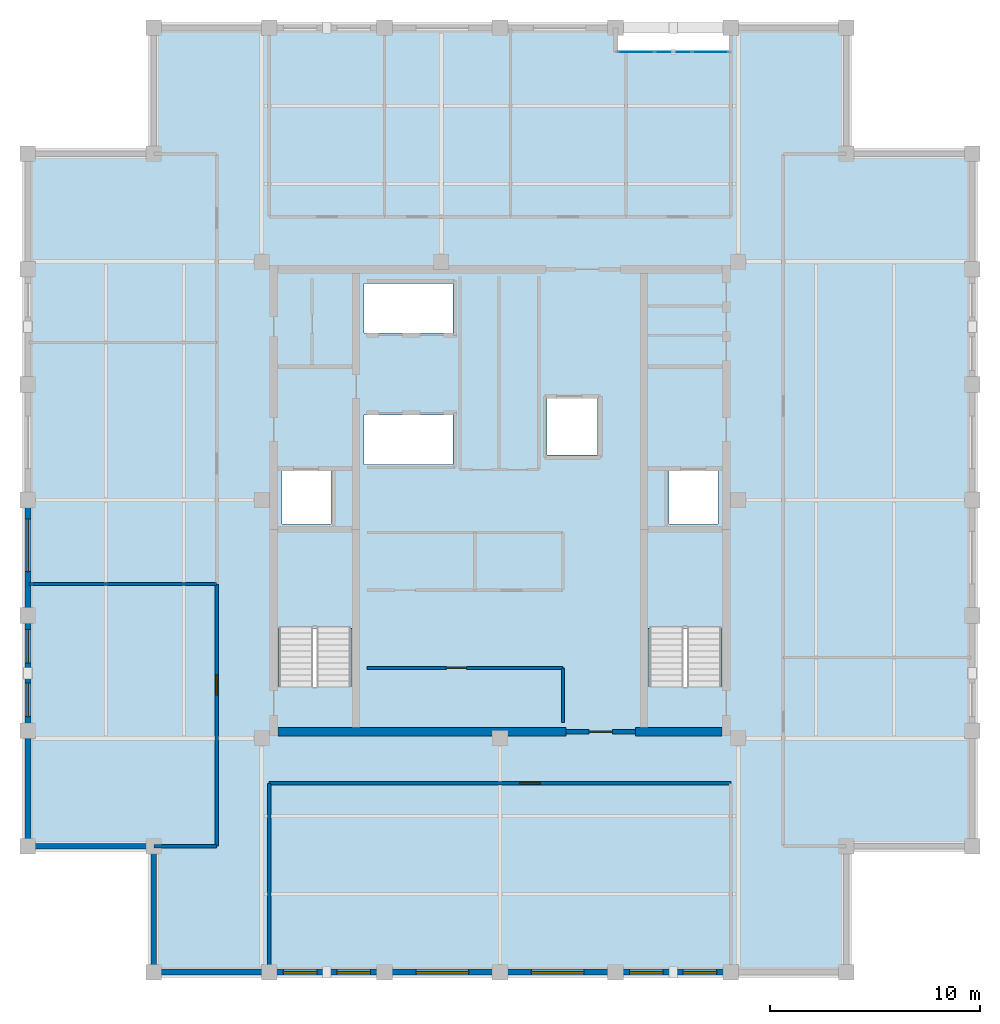
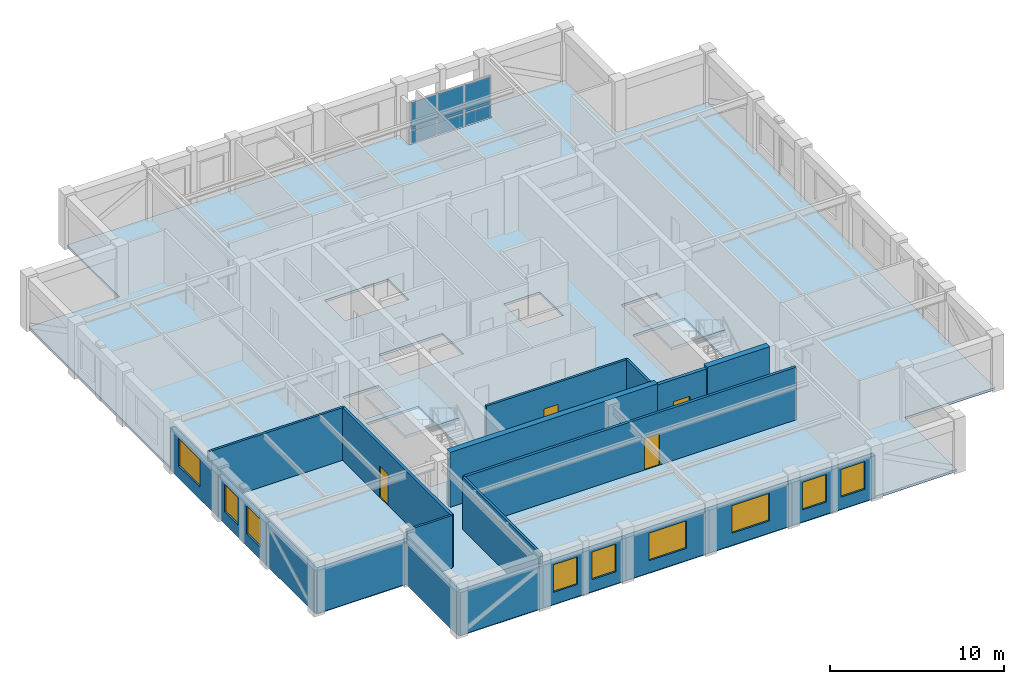
# One storey, part 3 of 7: 20 walls, 9 windows, 6 plates, 4 doors, 3 slabs, 13 openings, 3 elements without a shape of their own.
"""IFC4 building model written with IfcOpenShell, lengths in metres."""

import ifcopenshell
import ifcopenshell.guid

model = None  # the IFC model being written
_history = None  # IfcOwnerHistory: only IFC2X3 demands one
_inside = {}  # id of a spatial element -> (the spatial element, [elements in it])
_under = {}  # id of a project, library or spatial element -> (it, [spatial elements below it])
_declared = {}  # id of a project -> (the project, [libraries it declares])
_typed = {}  # id of a type object -> (the type object, [elements of that type])
_made_of = {}  # id of a material, layer set ... -> (it, [elements and type objects made of it])


def new_model(schema):
    """Start an empty IFC model of exactly this schema.

    Asked for "IFC4X3", IfcOpenShell would pick the latest addendum, in which some entities
    have other attributes; the version numbers below select the first issue.
    IFC2X3 requires an IfcOwnerHistory on every rooted entity: one is made here for all.
    """
    global model, _history
    if schema == "IFC4X3":
        model = ifcopenshell.file(schema_version=(4, 3, 0, 0))
    else:
        model = ifcopenshell.file(schema=schema)
    _inside.clear()
    _under.clear()
    _declared.clear()
    _typed.clear()
    _made_of.clear()
    _history = None
    if model.schema == "IFC2X3":
        org = make("IfcOrganization", Name="unknown")
        user = make(
            "IfcPersonAndOrganization",
            ThePerson=make("IfcPerson", FamilyName="unknown"),
            TheOrganization=org,
        )
        app = make(
            "IfcApplication",
            ApplicationDeveloper=org,
            Version="unknown",
            ApplicationFullName="unknown",
            ApplicationIdentifier="unknown",
        )
        _history = make(
            "IfcOwnerHistory",
            OwningUser=user,
            OwningApplication=app,
            ChangeAction="ADDED",
            CreationDate=0,
        )
    return model


def make(cls, **values):
    """One entity of the class cls with the attributes given. An attribute that is None is left unset."""
    return model.create_entity(
        cls, **{name: value for name, value in values.items() if value is not None}
    )


def rooted(cls, **values):
    """An entity with a GlobalId (a new one), such as an element, a storey or a relation."""
    return make(cls, GlobalId=ifcopenshell.guid.new(), OwnerHistory=_history, **values)


def si_unit(unit_type, name, prefix=None):
    """IfcSIUnit, for example si_unit("LENGTHUNIT", "METRE", prefix="MILLI")."""
    return make("IfcSIUnit", UnitType=unit_type, Prefix=prefix, Name=name)


def assignment(units):
    """IfcUnitAssignment: the units of a project."""
    return None if units is None else make("IfcUnitAssignment", Units=units)


def point(xyz):
    """IfcCartesianPoint."""
    return None if xyz is None else make("IfcCartesianPoint", Coordinates=xyz)


def direction(xyz):
    """IfcDirection."""
    return None if xyz is None else make("IfcDirection", DirectionRatios=xyz)


def frame(location, z_axis=None, x_axis=None):
    """IfcAxis2Placement3D, a coordinate frame: its origin and axes. An axis left out is left unset."""
    return make(
        "IfcAxis2Placement3D",
        Location=point(location),
        Axis=direction(z_axis),
        RefDirection=direction(x_axis),
    )


def frame_2d(location, x_axis=None):
    """IfcAxis2Placement2D, a coordinate frame in the plane: its origin and x axis."""
    return make(
        "IfcAxis2Placement2D", Location=point(location), RefDirection=direction(x_axis)
    )


def origin():
    """The frame at (0, 0, 0) with its axes left unset."""
    return frame((0.0, 0.0, 0.0))


def origin_2d():
    """The frame at (0, 0) in the plane with its x axis left unset."""
    return frame_2d((0.0, 0.0))


def place(relative_to, where):
    """IfcLocalPlacement: puts the frame where relative to a parent placement (None: the world)."""
    return make(
        "IfcLocalPlacement", PlacementRelTo=relative_to, RelativePlacement=where
    )


def context(
    kind, dimensions, precision=None, world=None, true_north=None, identifier=None
):
    """IfcGeometricRepresentationContext, for example the 3D "Model" context."""
    return make(
        "IfcGeometricRepresentationContext",
        ContextIdentifier=identifier,
        ContextType=kind,
        CoordinateSpaceDimension=dimensions,
        Precision=precision,
        WorldCoordinateSystem=world,
        TrueNorth=true_north,
    )


def subcontext(parent, identifier, kind, view, scale=None):
    """IfcGeometricRepresentationSubContext, for example "Body" below "Model"."""
    return make(
        "IfcGeometricRepresentationSubContext",
        ContextIdentifier=identifier,
        ContextType=kind,
        ParentContext=parent,
        TargetScale=scale,
        TargetView=view,
    )


def project(units=None, contexts=None):
    """IfcProject with its units and contexts."""
    return rooted(
        "IfcProject",
        Name="project",
        RepresentationContexts=contexts,
        UnitsInContext=assignment(units),
    )


def spatial(cls, under=None, at=None, **own):
    """A site, building, storey or space (cls), placed at a placement, below another one or the project."""
    s = rooted(cls, ObjectPlacement=at, **own)
    if under is not None:
        _under.setdefault(under.id(), (under, []))[1].append(s)
    return s


def polyline(points):
    """IfcPolyline through the points."""
    return make("IfcPolyline", Points=[point(p) for p in points])


def profile(cls, at=None, kind="AREA", **sizes):
    """A parametric profile (cls). Its sizes go by their IFC names, for example OverallWidth=200.0."""
    return make(cls, ProfileType=kind, Position=at, **sizes)


def rectangle(**sizes):
    """IfcRectangleProfileDef."""
    return profile("IfcRectangleProfileDef", **sizes)


def outline(outer, holes=None, kind="AREA"):
    """IfcArbitraryClosedProfileDef: a profile drawn as a closed curve; with holes, ...WithVoids."""
    if holes is None:
        return make("IfcArbitraryClosedProfileDef", ProfileType=kind, OuterCurve=outer)
    return make(
        "IfcArbitraryProfileDefWithVoids",
        ProfileType=kind,
        OuterCurve=outer,
        InnerCurves=holes,
    )


def extrude(swept, where, along, depth):
    """IfcExtrudedAreaSolid: the profile swept, set in the frame where, extruded along a direction by depth."""
    return make(
        "IfcExtrudedAreaSolid",
        SweptArea=swept,
        Position=where,
        ExtrudedDirection=direction(along),
        Depth=depth,
    )


def shape(context_of_items, identifier, shape_type, items):
    """IfcShapeRepresentation: the items that make up one representation, for example the "Body"."""
    return make(
        "IfcShapeRepresentation",
        ContextOfItems=context_of_items,
        RepresentationIdentifier=identifier,
        RepresentationType=shape_type,
        Items=items,
    )


def material(Name=None, Category=None):
    """IfcMaterial."""
    return make("IfcMaterial", Name=Name, Category=Category)


def layer(
    of_material, thickness, ventilated=None, Name=None, Category=None, Priority=None
):
    """IfcMaterialLayer: one layer of a wall or slab, of a material (None: an air gap)."""
    return make(
        "IfcMaterialLayer",
        Material=of_material,
        LayerThickness=thickness,
        IsVentilated=ventilated,
        Name=Name,
        Category=Category,
        Priority=Priority,
    )


def layer_set(layers, Name=None):
    """IfcMaterialLayerSet."""
    return make("IfcMaterialLayerSet", MaterialLayers=layers, LayerSetName=Name)


def made_of(thing, what):
    """Note that an element or type object is made of a material, layer set ...; save() writes the relation."""
    if what is not None:
        _made_of.setdefault(what.id(), (what, []))[1].append(thing)
    return thing


def type_object(cls, material=None, **own):
    """A type object (cls), such as IfcWallType, which elements share."""
    return made_of(rooted(cls, **own), material)


def element(
    cls,
    number,
    at=None,
    inside=None,
    cuts=None,
    type_object=None,
    material=None,
    context=None,
    identifier="Body",
    shape_type=None,
    held_by="IfcProductDefinitionShape",
    body=None,
    shapes=None,
    **own,
):
    """One element of the class cls, such as IfcWall. Its Tag is "e" and its number.

    at: its placement. inside: the storey or other place that contains it. cuts: it is an
    opening in that element (IfcRelVoidsElement). A single representation is given by context,
    identifier, shape_type and body (its items); several are given by shapes. held_by: the class
    of the entity that holds the representations. save() writes the other relations.
    """
    e = rooted(cls, Tag="e%d" % number, ObjectPlacement=at, **own)
    if body is not None:
        shapes = [shape(context, identifier, shape_type, body)]
    if shapes is not None:
        e.Representation = make(held_by, Representations=shapes)
    if inside is not None:
        _inside.setdefault(inside.id(), (inside, []))[1].append(e)
    if cuts is not None:
        rooted(
            "IfcRelVoidsElement", RelatingBuildingElement=cuts, RelatedOpeningElement=e
        )
    if type_object is not None:
        _typed.setdefault(type_object.id(), (type_object, []))[1].append(e)
    return made_of(e, material)


def fill(opening, filler):
    """IfcRelFillsElement: the door or window that sits in an opening."""
    return rooted(
        "IfcRelFillsElement",
        RelatingOpeningElement=opening,
        RelatedBuildingElement=filler,
    )


def aggregate(whole, parts):
    """IfcRelAggregates: a whole, such as a stair, and the parts it consists of."""
    return rooted("IfcRelAggregates", RelatingObject=whole, RelatedObjects=parts)


def save(model, path):
    """Write the relations noted so far, then the file.

    IfcRelAggregates (storeys below a building ...), IfcRelContainedInSpatialStructure (elements
    in a storey), IfcRelDefinesByType, IfcRelAssociatesMaterial and IfcRelDeclares: one each for
    every whole, place, type object, material and project.
    """
    for whole, parts in _under.values():
        aggregate(whole, parts)
    for where, things in _inside.values():
        rooted(
            "IfcRelContainedInSpatialStructure",
            RelatedElements=things,
            RelatingStructure=where,
        )
    for kind, things in _typed.values():
        rooted("IfcRelDefinesByType", RelatedObjects=things, RelatingType=kind)
    for what, things in _made_of.values():
        rooted("IfcRelAssociatesMaterial", RelatedObjects=things, RelatingMaterial=what)
    for by, libraries in _declared.values():
        rooted("IfcRelDeclares", RelatingContext=by, RelatedDefinitions=libraries)
    model.write(path)


model = new_model("IFC4")

# Units and contexts
model_context = context("Model", 3, precision=1e-05, world=origin(), true_north=direction((0.0, 1.0)))
body_context = subcontext(model_context, "Body", "Model", "MODEL_VIEW")
ifc_project = project(units=[si_unit("LENGTHUNIT", "METRE"), si_unit("AREAUNIT", "SQUARE_METRE"), si_unit("VOLUMEUNIT", "CUBIC_METRE"), si_unit("PLANEANGLEUNIT", "RADIAN"), si_unit("MASSUNIT", "GRAM", prefix="KILO")], contexts=[model_context])

# Site, building, storey
site_placement = place(None, origin())
site = spatial("IfcSite", under=ifc_project, at=site_placement, CompositionType="ELEMENT")
building_placement = place(site_placement, origin())
building = spatial("IfcBuilding", under=site, at=building_placement, Name="Nhamokura Convention Tower", CompositionType="ELEMENT")
storey_placement = place(building_placement, frame((0.0, 0.0, 281.39990234375)))
storey = spatial("IfcBuildingStorey", under=building, at=storey_placement, Name="L69", CompositionType="ELEMENT", Elevation=281.39990234375)

# Curtain wall, plates
ifc_material_1 = material(Name="Anodised bronze aluminium AA6063-T6", Category="aluminium")
ifc_layer_1 = layer(ifc_material_1, 0.155029296875)
ifc_layer_set_1 = layer_set([ifc_layer_1], Name="CWSystem_ScaleSlot_Zone3")
curtain_wall_type = type_object("IfcCurtainWallType", Name="CWSystem_ScaleSlot_Zone3", PredefinedType="NOTDEFINED", material=ifc_layer_set_1)
curtain_wall_placement = place(storey_placement, origin())
curtain_wall = element("IfcCurtainWall", 1, at=curtain_wall_placement, inside=storey, type_object=curtain_wall_type, Name="L69 Curtain Wall ENV-L69-SLOT-N4", PredefinedType="NOTDEFINED")
ifc_material_2 = material(Name="Solar-control bronze low-E double glass", Category="glass")
ifc_layer_2 = layer(ifc_material_2, 0.0400390625)
ifc_layer_set_2 = layer_set([ifc_layer_2], Name="CWGlazedPanel_3")
plate_type = type_object("IfcPlateType", Name="CWGlazedPanel_3", PredefinedType="CURTAIN_PANEL", material=ifc_layer_set_2)
plate_1_placement = place(storey_placement, frame((38.472900390625, 53.35009765625, 0.065185546875), z_axis=(0.0, 0.0, 1.0), x_axis=(1.0, 0.0, 0.0)))
plate_1 = element("IfcPlate", 2, at=plate_1_placement, type_object=plate_type, Name="CW-05 panel 1.1", PredefinedType="CURTAIN_PANEL", context=body_context, shape_type="SweptSolid", body=[
    extrude(rectangle(XDim=1.69580078125, YDim=0.0400390625, at=origin_2d()), origin(), (0.0, 0.0, 1.0), 0.8525390625),
])
plate_2_placement = place(storey_placement, frame((38.472900390625, 53.35009765625, 0.982666015625), z_axis=(0.0, 0.0, 1.0), x_axis=(1.0, 0.0, 0.0)))
plate_2 = element("IfcPlate", 3, at=plate_2_placement, type_object=plate_type, Name="CW-05 panel 1.2", PredefinedType="CURTAIN_PANEL", context=body_context, shape_type="SweptSolid", body=[
    extrude(rectangle(XDim=1.69580078125, YDim=0.0400390625, at=origin_2d()), origin(), (0.0, 0.0, 1.0), 1.9375),
])
plate_3_placement = place(storey_placement, frame((40.25, 53.35009765625, 0.065185546875), z_axis=(0.0, 0.0, 1.0), x_axis=(1.0, 0.0, 0.0)))
plate_3 = element("IfcPlate", 4, at=plate_3_placement, type_object=plate_type, Name="CW-05 panel 2.1", PredefinedType="CURTAIN_PANEL", context=body_context, shape_type="SweptSolid", body=[
    extrude(rectangle(XDim=1.728271484375, YDim=0.0400390625, at=origin_2d()), origin(), (0.0, 0.0, 1.0), 0.8525390625),
])
plate_4_placement = place(storey_placement, frame((40.25, 53.35009765625, 0.982666015625), z_axis=(0.0, 0.0, 1.0), x_axis=(1.0, 0.0, 0.0)))
plate_4 = element("IfcPlate", 5, at=plate_4_placement, type_object=plate_type, Name="CW-05 panel 2.2", PredefinedType="CURTAIN_PANEL", context=body_context, shape_type="SweptSolid", body=[
    extrude(rectangle(XDim=1.728271484375, YDim=0.0400390625, at=origin_2d()), origin(), (0.0, 0.0, 1.0), 1.9375),
])
plate_5_placement = place(storey_placement, frame((42.027099609375, 53.35009765625, 0.065185546875), z_axis=(0.0, 0.0, 1.0), x_axis=(1.0, 0.0, 0.0)))
plate_5 = element("IfcPlate", 6, at=plate_5_placement, type_object=plate_type, Name="CW-05 panel 3.1", PredefinedType="CURTAIN_PANEL", context=body_context, shape_type="SweptSolid", body=[
    extrude(rectangle(XDim=1.69580078125, YDim=0.0400390625, at=origin_2d()), origin(), (0.0, 0.0, 1.0), 0.8525390625),
])
plate_6_placement = place(storey_placement, frame((42.027099609375, 53.35009765625, 0.982666015625), z_axis=(0.0, 0.0, 1.0), x_axis=(1.0, 0.0, 0.0)))
plate_6 = element("IfcPlate", 7, at=plate_6_placement, type_object=plate_type, Name="CW-05 panel 3.2", PredefinedType="CURTAIN_PANEL", context=body_context, shape_type="SweptSolid", body=[
    extrude(rectangle(XDim=1.69580078125, YDim=0.0400390625, at=origin_2d()), origin(), (0.0, 0.0, 1.0), 1.9375),
])
aggregate(curtain_wall, [plate_1, plate_2, plate_3, plate_4, plate_5, plate_6])

# Slab
ifc_material_3 = material(Name="Concrete C40/50", Category="concrete")
ifc_layer_3 = layer(ifc_material_3, 0.1650390625)
ifc_layer_set_3 = layer_set([ifc_layer_3], Name="OfficeFloorSlab_165")
slab_type_1 = type_object("IfcSlabType", Name="OfficeFloorSlab_165", PredefinedType="FLOOR", material=ifc_layer_set_3)
slab_1_placement = place(storey_placement, frame((0.0, 0.0, -0.164794921875)))
element("IfcSlab", 8, at=slab_1_placement, inside=storey, type_object=slab_type_1, Name="L69 Structural Floor Slab", PredefinedType="FLOOR", context=body_context, shape_type="SweptSolid", body=[
    extrude(outline(polyline([(15.5, 9.5), (48.5, 9.5), (48.5, 15.5), (54.5, 15.5), (54.5, 48.5), (48.5, 48.5), (48.5, 54.5), (43.0, 54.5), (43.0, 53.35009765625), (37.5, 53.35009765625), (37.5, 54.5), (15.5, 54.5), (15.5, 48.5), (9.5, 48.5), (9.5, 15.5), (15.5, 15.5), (15.5, 9.5)]), holes=[polyline([(24.89990234375, 23.10009765625), (24.89990234375, 30.449951171875), (21.449951171875, 30.449951171875), (21.449951171875, 23.10009765625), (24.89990234375, 23.10009765625)]), polyline([(42.550048828125, 23.10009765625), (42.550048828125, 30.449951171875), (39.10009765625, 30.449951171875), (39.10009765625, 23.10009765625), (42.550048828125, 23.10009765625)]), polyline([(21.60009765625, 30.85009765625), (23.949951171875, 30.85009765625), (23.949951171875, 33.39990234375), (21.60009765625, 33.39990234375), (21.60009765625, 30.85009765625)]), polyline([(40.050048828125, 30.85009765625), (42.39990234375, 30.85009765625), (42.39990234375, 33.39990234375), (40.050048828125, 33.39990234375), (40.050048828125, 30.85009765625)]), polyline([(34.25, 34.14990234375), (36.64990234375, 34.14990234375), (36.64990234375, 36.85009765625), (34.25, 36.85009765625), (34.25, 34.14990234375)]), polyline([(25.52001953125, 33.679931640625), (29.75, 33.679931640625), (29.75, 36.050048828125), (25.52001953125, 36.050048828125), (25.52001953125, 33.679931640625)]), polyline([(25.52001953125, 39.949951171875), (29.75, 39.949951171875), (29.75, 42.320068359375), (25.52001953125, 42.320068359375), (25.52001953125, 39.949951171875)])]), origin(), (0.0, 0.0, 1.0), 0.164794921875),
])

# Stair, slab
ifc_material_4 = material(Name="Concrete C40/50", Category="concrete")
stair_type = type_object("IfcStairType", Name="TowerCoreStair_1650", PredefinedType="HALF_TURN_STAIR", material=ifc_material_4)
stair_1_placement = place(storey_placement, origin())
stair_1 = element("IfcStair", 9, at=stair_1_placement, inside=storey, type_object=stair_type, Name="L69 West Core Smokeproof Stair ST-01", PredefinedType="HALF_TURN_STAIR")
ifc_material_5 = material(Name="Concrete C40/50", Category="concrete")
ifc_layer_4 = layer(ifc_material_5, 0.199951171875)
ifc_layer_set_4 = layer_set([ifc_layer_4], Name="StairLandingSlab_200")
slab_type_2 = type_object("IfcSlabType", Name="StairLandingSlab_200", PredefinedType="LANDING", material=ifc_layer_set_4)
slab_2_placement = place(storey_placement, frame((0.0, 0.0, 1.72509765625)))
slab_2 = element("IfcSlab", 10, at=slab_2_placement, type_object=slab_type_2, Name="ST-01 landing 1", PredefinedType="LANDING", context=body_context, shape_type="SweptSolid", body=[
    extrude(outline(polyline([(24.97998046875, 25.8701171875), (24.97998046875, 30.530029296875), (21.3701171875, 30.530029296875), (21.3701171875, 25.8701171875), (24.97998046875, 25.8701171875)])), origin(), (0.0, 0.0, 1.0), 0.199951171875),
])
aggregate(stair_1, [slab_2])

stair_2_placement = place(storey_placement, origin())
stair_2 = element("IfcStair", 11, at=stair_2_placement, inside=storey, type_object=stair_type, Name="L69 East Core Smokeproof Stair ST-02", PredefinedType="HALF_TURN_STAIR")
slab_3_placement = place(storey_placement, frame((0.0, 0.0, 1.72509765625)))
slab_3 = element("IfcSlab", 12, at=slab_3_placement, type_object=slab_type_2, Name="ST-02 landing 1", PredefinedType="LANDING", context=body_context, shape_type="SweptSolid", body=[
    extrude(outline(polyline([(42.6298828125, 25.8701171875), (42.6298828125, 30.530029296875), (39.02001953125, 30.530029296875), (39.02001953125, 25.8701171875), (42.6298828125, 25.8701171875)])), origin(), (0.0, 0.0, 1.0), 0.199951171875),
])
aggregate(stair_2, [slab_3])

# Wall
ifc_material_6 = material(Name="Bronze-pigmented precast concrete C45/55", Category="concrete")
ifc_layer_5 = layer(ifc_material_6, 0.280029296875)
ifc_layer_set_5 = layer_set([ifc_layer_5], Name="BronzePrecastSpandrel_280")
wall_type_1 = type_object("IfcWallType", Name="BronzePrecastSpandrel_280", PredefinedType="USERDEFINED", material=ifc_layer_set_5)
wall_1_placement = place(storey_placement, frame((21.0, 9.5, 0.0), z_axis=(0.0, 0.0, 1.0), x_axis=(-1.0, 0.0, 0.0)))
element("IfcWall", 13, at=wall_1_placement, inside=storey, type_object=wall_type_1, Name="L69 Braced-Bay Precast Wall SOUTH 0", ObjectType="SPANDREL_WALL", PredefinedType="USERDEFINED", context=body_context, shape_type="SweptSolid", body=[
    extrude(rectangle(XDim=5.5, YDim=0.280029296875, at=frame_2d((2.75, 0.0))), origin(), (0.0, 0.0, 1.0), 2.985107421875),
])

# Wall, openings, windows
wall_2_placement = place(storey_placement, frame((26.5, 9.5, 0.0), z_axis=(0.0, 0.0, 1.0), x_axis=(-1.0, 0.0, 0.0)))
wall_2 = element("IfcWall", 14, at=wall_2_placement, inside=storey, type_object=wall_type_1, Name="L69 Masonry-Frame Wall SOUTH 1", ObjectType="SPANDREL_WALL", PredefinedType="USERDEFINED", context=body_context, shape_type="SweptSolid", body=[
    extrude(rectangle(XDim=5.5, YDim=0.280029296875, at=frame_2d((2.75, 0.0))), origin(), (0.0, 0.0, 1.0), 2.985107421875),
])
opening_1_placement = place(wall_2_placement, frame((0.675048828125, 0.0, 0.85009765625)))
opening_1 = element("IfcOpeningElement", 15, at=opening_1_placement, cuts=wall_2, Name="Opening W-11", PredefinedType="OPENING", context=body_context, shape_type="SweptSolid", body=[
    extrude(rectangle(XDim=1.60009765625, YDim=1.93505859375, at=frame_2d((0.800048828125, 0.967529296875))), frame((0.0, 0.14990234375, 0.0), z_axis=(0.0, -1.0, 0.0), x_axis=(1.0, 0.0, 0.0)), (0.0, 0.0, 1.0), 0.300048828125),
])
opening_2_placement = place(wall_2_placement, frame((3.22509765625, 0.0, 0.85009765625)))
opening_2 = element("IfcOpeningElement", 16, at=opening_2_placement, cuts=wall_2, Name="Opening W-11", PredefinedType="OPENING", context=body_context, shape_type="SweptSolid", body=[
    extrude(rectangle(XDim=1.60009765625, YDim=1.93505859375, at=frame_2d((0.800048828125, 0.967529296875))), frame((0.0, 0.14990234375, 0.0), z_axis=(0.0, -1.0, 0.0), x_axis=(1.0, 0.0, 0.0)), (0.0, 0.0, 1.0), 0.300048828125),
])
ifc_material_7 = material(Name="Solar-control bronze low-E double glass", Category="glass")
window_type_1 = type_object("IfcWindowType", Name="NotchCornerWindow_1600", PartitioningType="SINGLE_PANEL", PredefinedType="WINDOW", material=ifc_material_7)
window_1_placement = place(opening_1_placement, origin())
window_1 = element("IfcWindow", 17, at=window_1_placement, inside=storey, type_object=window_type_1, Name="L69 Facade Window SOUTH 1-1", OverallHeight=1.93505859375, OverallWidth=1.60009765625, PartitioningType="SINGLE_PANEL", PredefinedType="WINDOW", context=body_context, shape_type="SweptSolid", body=[
    extrude(rectangle(XDim=1.60009765625, YDim=1.93505859375, at=frame_2d((0.800048828125, 0.967529296875))), frame((0.0, 0.030029296875, 0.0), z_axis=(0.0, -1.0, 0.0), x_axis=(1.0, 0.0, 0.0)), (0.0, 0.0, 1.0), 0.06005859375),
])
fill(opening_1, window_1)
window_2_placement = place(opening_2_placement, origin())
window_2 = element("IfcWindow", 18, at=window_2_placement, inside=storey, type_object=window_type_1, Name="L69 Facade Window SOUTH 1-2", OverallHeight=1.93505859375, OverallWidth=1.60009765625, PartitioningType="SINGLE_PANEL", PredefinedType="WINDOW", context=body_context, shape_type="SweptSolid", body=[
    extrude(rectangle(XDim=1.60009765625, YDim=1.93505859375, at=frame_2d((0.800048828125, 0.967529296875))), frame((0.0, 0.030029296875, 0.0), z_axis=(0.0, -1.0, 0.0), x_axis=(1.0, 0.0, 0.0)), (0.0, 0.0, 1.0), 0.06005859375),
])
fill(opening_2, window_2)

# Wall, opening, window
wall_3_placement = place(storey_placement, frame((32.0, 9.5, 0.0), z_axis=(0.0, 0.0, 1.0), x_axis=(-1.0, 0.0, 0.0)))
wall_3 = element("IfcWall", 19, at=wall_3_placement, inside=storey, type_object=wall_type_1, Name="L69 Masonry-Frame Wall SOUTH 2", ObjectType="SPANDREL_WALL", PredefinedType="USERDEFINED", context=body_context, shape_type="SweptSolid", body=[
    extrude(rectangle(XDim=5.5, YDim=0.280029296875, at=frame_2d((2.75, 0.0))), origin(), (0.0, 0.0, 1.0), 2.985107421875),
])
opening_3_placement = place(wall_3_placement, frame((1.5, 0.0, 0.85009765625)))
opening_3 = element("IfcOpeningElement", 20, at=opening_3_placement, cuts=wall_3, Name="Opening W-09", PredefinedType="OPENING", context=body_context, shape_type="SweptSolid", body=[
    extrude(rectangle(XDim=2.5, YDim=1.93505859375, at=frame_2d((1.25, 0.967529296875))), frame((0.0, 0.14990234375, 0.0), z_axis=(0.0, -1.0, 0.0), x_axis=(1.0, 0.0, 0.0)), (0.0, 0.0, 1.0), 0.300048828125),
])
ifc_material_8 = material(Name="Solar-control bronze low-E double glass", Category="glass")
window_type_2 = type_object("IfcWindowType", Name="SummitWindow_Z4_2500", PartitioningType="DOUBLE_PANEL_VERTICAL", PredefinedType="WINDOW", material=ifc_material_8)
window_3_placement = place(opening_3_placement, origin())
window_3 = element("IfcWindow", 21, at=window_3_placement, inside=storey, type_object=window_type_2, Name="L69 Facade Window SOUTH 2", OverallHeight=1.93505859375, OverallWidth=2.5, PartitioningType="SINGLE_PANEL", PredefinedType="WINDOW", context=body_context, shape_type="SweptSolid", body=[
    extrude(rectangle(XDim=2.5, YDim=1.93505859375, at=frame_2d((1.25, 0.967529296875))), frame((0.0, 0.030029296875, 0.0), z_axis=(0.0, -1.0, 0.0), x_axis=(1.0, 0.0, 0.0)), (0.0, 0.0, 1.0), 0.06005859375),
])
fill(opening_3, window_3)

wall_4_placement = place(storey_placement, frame((37.5, 9.5, 0.0), z_axis=(0.0, 0.0, 1.0), x_axis=(-1.0, 0.0, 0.0)))
wall_4 = element("IfcWall", 22, at=wall_4_placement, inside=storey, type_object=wall_type_1, Name="L69 Masonry-Frame Wall SOUTH 3", ObjectType="SPANDREL_WALL", PredefinedType="USERDEFINED", context=body_context, shape_type="SweptSolid", body=[
    extrude(rectangle(XDim=5.5, YDim=0.280029296875, at=frame_2d((2.75, 0.0))), origin(), (0.0, 0.0, 1.0), 2.985107421875),
])
opening_4_placement = place(wall_4_placement, frame((1.5, 0.0, 0.85009765625)))
opening_4 = element("IfcOpeningElement", 23, at=opening_4_placement, cuts=wall_4, Name="Opening W-09", PredefinedType="OPENING", context=body_context, shape_type="SweptSolid", body=[
    extrude(rectangle(XDim=2.5, YDim=1.93505859375, at=frame_2d((1.25, 0.967529296875))), frame((0.0, 0.14990234375, 0.0), z_axis=(0.0, -1.0, 0.0), x_axis=(1.0, 0.0, 0.0)), (0.0, 0.0, 1.0), 0.300048828125),
])
window_4_placement = place(opening_4_placement, origin())
window_4 = element("IfcWindow", 24, at=window_4_placement, inside=storey, type_object=window_type_2, Name="L69 Facade Window SOUTH 3", OverallHeight=1.93505859375, OverallWidth=2.5, PartitioningType="SINGLE_PANEL", PredefinedType="WINDOW", context=body_context, shape_type="SweptSolid", body=[
    extrude(rectangle(XDim=2.5, YDim=1.93505859375, at=frame_2d((1.25, 0.967529296875))), frame((0.0, 0.030029296875, 0.0), z_axis=(0.0, -1.0, 0.0), x_axis=(1.0, 0.0, 0.0)), (0.0, 0.0, 1.0), 0.06005859375),
])
fill(opening_4, window_4)

# Wall, openings, windows
wall_5_placement = place(storey_placement, frame((43.0, 9.5, 0.0), z_axis=(0.0, 0.0, 1.0), x_axis=(-1.0, 0.0, 0.0)))
wall_5 = element("IfcWall", 25, at=wall_5_placement, inside=storey, type_object=wall_type_1, Name="L69 Masonry-Frame Wall SOUTH 4", ObjectType="SPANDREL_WALL", PredefinedType="USERDEFINED", context=body_context, shape_type="SweptSolid", body=[
    extrude(rectangle(XDim=5.5, YDim=0.280029296875, at=frame_2d((2.75, 0.0))), origin(), (0.0, 0.0, 1.0), 2.985107421875),
])
opening_5_placement = place(wall_5_placement, frame((0.675048828125, 0.0, 0.85009765625)))
opening_5 = element("IfcOpeningElement", 26, at=opening_5_placement, cuts=wall_5, Name="Opening W-11", PredefinedType="OPENING", context=body_context, shape_type="SweptSolid", body=[
    extrude(rectangle(XDim=1.60009765625, YDim=1.93505859375, at=frame_2d((0.800048828125, 0.967529296875))), frame((0.0, 0.14990234375, 0.0), z_axis=(0.0, -1.0, 0.0), x_axis=(1.0, 0.0, 0.0)), (0.0, 0.0, 1.0), 0.300048828125),
])
opening_6_placement = place(wall_5_placement, frame((3.22509765625, 0.0, 0.85009765625)))
opening_6 = element("IfcOpeningElement", 27, at=opening_6_placement, cuts=wall_5, Name="Opening W-11", PredefinedType="OPENING", context=body_context, shape_type="SweptSolid", body=[
    extrude(rectangle(XDim=1.60009765625, YDim=1.93505859375, at=frame_2d((0.800048828125, 0.967529296875))), frame((0.0, 0.14990234375, 0.0), z_axis=(0.0, -1.0, 0.0), x_axis=(1.0, 0.0, 0.0)), (0.0, 0.0, 1.0), 0.300048828125),
])
window_5_placement = place(opening_5_placement, origin())
window_5 = element("IfcWindow", 28, at=window_5_placement, inside=storey, type_object=window_type_1, Name="L69 Facade Window SOUTH 4-1", OverallHeight=1.93505859375, OverallWidth=1.60009765625, PartitioningType="SINGLE_PANEL", PredefinedType="WINDOW", context=body_context, shape_type="SweptSolid", body=[
    extrude(rectangle(XDim=1.60009765625, YDim=1.93505859375, at=frame_2d((0.800048828125, 0.967529296875))), frame((0.0, 0.030029296875, 0.0), z_axis=(0.0, -1.0, 0.0), x_axis=(1.0, 0.0, 0.0)), (0.0, 0.0, 1.0), 0.06005859375),
])
fill(opening_5, window_5)
window_6_placement = place(opening_6_placement, origin())
window_6 = element("IfcWindow", 29, at=window_6_placement, inside=storey, type_object=window_type_1, Name="L69 Facade Window SOUTH 4-2", OverallHeight=1.93505859375, OverallWidth=1.60009765625, PartitioningType="SINGLE_PANEL", PredefinedType="WINDOW", context=body_context, shape_type="SweptSolid", body=[
    extrude(rectangle(XDim=1.60009765625, YDim=1.93505859375, at=frame_2d((0.800048828125, 0.967529296875))), frame((0.0, 0.030029296875, 0.0), z_axis=(0.0, -1.0, 0.0), x_axis=(1.0, 0.0, 0.0)), (0.0, 0.0, 1.0), 0.06005859375),
])
fill(opening_6, window_6)

# Wall
wall_6_placement = place(storey_placement, frame((9.5, 15.5, 0.0), z_axis=(0.0, 0.0, 1.0), x_axis=(0.0, 1.0, 0.0)))
element("IfcWall", 30, at=wall_6_placement, inside=storey, type_object=wall_type_1, Name="L69 Braced-Bay Precast Wall WEST 0", ObjectType="SPANDREL_WALL", PredefinedType="USERDEFINED", context=body_context, shape_type="SweptSolid", body=[
    extrude(rectangle(XDim=5.5, YDim=0.280029296875, at=frame_2d((2.75, 0.0))), origin(), (0.0, 0.0, 1.0), 2.985107421875),
])

# Wall, openings, windows
wall_7_placement = place(storey_placement, frame((9.5, 21.0, 0.0), z_axis=(0.0, 0.0, 1.0), x_axis=(0.0, 1.0, 0.0)))
wall_7 = element("IfcWall", 31, at=wall_7_placement, inside=storey, type_object=wall_type_1, Name="L69 Masonry-Frame Wall WEST 1", ObjectType="SPANDREL_WALL", PredefinedType="USERDEFINED", context=body_context, shape_type="SweptSolid", body=[
    extrude(rectangle(XDim=5.5, YDim=0.280029296875, at=frame_2d((2.75, 0.0))), origin(), (0.0, 0.0, 1.0), 2.985107421875),
])
opening_7_placement = place(wall_7_placement, frame((0.675048828125, 0.0, 0.85009765625)))
opening_7 = element("IfcOpeningElement", 32, at=opening_7_placement, cuts=wall_7, Name="Opening W-11", PredefinedType="OPENING", context=body_context, shape_type="SweptSolid", body=[
    extrude(rectangle(XDim=1.60009765625, YDim=1.93505859375, at=frame_2d((0.800048828125, 0.967529296875))), frame((0.0, 0.14990234375, 0.0), z_axis=(0.0, -1.0, 0.0), x_axis=(1.0, 0.0, 0.0)), (0.0, 0.0, 1.0), 0.300048828125),
])
opening_8_placement = place(wall_7_placement, frame((3.22509765625, 0.0, 0.85009765625)))
opening_8 = element("IfcOpeningElement", 33, at=opening_8_placement, cuts=wall_7, Name="Opening W-11", PredefinedType="OPENING", context=body_context, shape_type="SweptSolid", body=[
    extrude(rectangle(XDim=1.60009765625, YDim=1.93505859375, at=frame_2d((0.800048828125, 0.967529296875))), frame((0.0, 0.14990234375, 0.0), z_axis=(0.0, -1.0, 0.0), x_axis=(1.0, 0.0, 0.0)), (0.0, 0.0, 1.0), 0.300048828125),
])
window_7_placement = place(opening_7_placement, origin())
window_7 = element("IfcWindow", 34, at=window_7_placement, inside=storey, type_object=window_type_1, Name="L69 Facade Window WEST 1-1", OverallHeight=1.93505859375, OverallWidth=1.60009765625, PartitioningType="SINGLE_PANEL", PredefinedType="WINDOW", context=body_context, shape_type="SweptSolid", body=[
    extrude(rectangle(XDim=1.60009765625, YDim=1.93505859375, at=frame_2d((0.800048828125, 0.967529296875))), frame((0.0, 0.030029296875, 0.0), z_axis=(0.0, -1.0, 0.0), x_axis=(1.0, 0.0, 0.0)), (0.0, 0.0, 1.0), 0.06005859375),
])
fill(opening_7, window_7)
window_8_placement = place(opening_8_placement, origin())
window_8 = element("IfcWindow", 35, at=window_8_placement, inside=storey, type_object=window_type_1, Name="L69 Facade Window WEST 1-2", OverallHeight=1.93505859375, OverallWidth=1.60009765625, PartitioningType="SINGLE_PANEL", PredefinedType="WINDOW", context=body_context, shape_type="SweptSolid", body=[
    extrude(rectangle(XDim=1.60009765625, YDim=1.93505859375, at=frame_2d((0.800048828125, 0.967529296875))), frame((0.0, 0.030029296875, 0.0), z_axis=(0.0, -1.0, 0.0), x_axis=(1.0, 0.0, 0.0)), (0.0, 0.0, 1.0), 0.06005859375),
])
fill(opening_8, window_8)

# Wall, opening, window
wall_8_placement = place(storey_placement, frame((9.5, 26.5, 0.0), z_axis=(0.0, 0.0, 1.0), x_axis=(0.0, 1.0, 0.0)))
wall_8 = element("IfcWall", 36, at=wall_8_placement, inside=storey, type_object=wall_type_1, Name="L69 Masonry-Frame Wall WEST 2", ObjectType="SPANDREL_WALL", PredefinedType="USERDEFINED", context=body_context, shape_type="SweptSolid", body=[
    extrude(rectangle(XDim=5.5, YDim=0.280029296875, at=frame_2d((2.75, 0.0))), origin(), (0.0, 0.0, 1.0), 2.985107421875),
])
opening_9_placement = place(wall_8_placement, frame((2.08740234375, 0.0, 0.85009765625)))
opening_9 = element("IfcOpeningElement", 37, at=opening_9_placement, cuts=wall_8, Name="Opening W-09", PredefinedType="OPENING", context=body_context, shape_type="SweptSolid", body=[
    extrude(rectangle(XDim=2.5, YDim=1.93505859375, at=frame_2d((1.25, 0.967529296875))), frame((0.0, 0.14990234375, 0.0), z_axis=(0.0, -1.0, 0.0), x_axis=(1.0, 0.0, 0.0)), (0.0, 0.0, 1.0), 0.300048828125),
])
window_9_placement = place(opening_9_placement, origin())
window_9 = element("IfcWindow", 38, at=window_9_placement, inside=storey, type_object=window_type_2, Name="L69 Facade Window WEST 2-2", OverallHeight=1.93505859375, OverallWidth=2.5, PartitioningType="SINGLE_PANEL", PredefinedType="WINDOW", context=body_context, shape_type="SweptSolid", body=[
    extrude(rectangle(XDim=2.5, YDim=1.93505859375, at=frame_2d((1.25, 0.967529296875))), frame((0.0, 0.030029296875, 0.0), z_axis=(0.0, -1.0, 0.0), x_axis=(1.0, 0.0, 0.0)), (0.0, 0.0, 1.0), 0.06005859375),
])
fill(opening_9, window_9)

# Walls
for number, where, z_axis, x_axis, name in (
    (39, (15.5, 9.5, 0.0), (0.0, 0.0, 1.0), (0.0, 1.0, 0.0), "L69 Notched Corner Wall SW1"),
    (40, (15.5, 15.5, 0.0), (0.0, 0.0, 1.0), (-1.0, 0.0, 0.0), "L69 Notched Corner Wall SW2"),
):
    element("IfcWall", number, at=place(storey_placement, frame(where, z_axis=z_axis, x_axis=x_axis)), inside=storey, type_object=wall_type_1, Name=name, ObjectType="SPANDREL_WALL", PredefinedType="USERDEFINED", context=body_context, shape_type="SweptSolid", body=[
        extrude(rectangle(XDim=6.0, YDim=0.280029296875, at=frame_2d((3.0, 0.0))), origin(), (0.0, 0.0, 1.0), 2.985107421875),
    ])
ifc_material_9 = material(Name="Concrete C50/60", Category="concrete")
ifc_layer_6 = layer(ifc_material_9, 0.39990234375)
ifc_layer_set_6 = layer_set([ifc_layer_6], Name="CoreShearWall_400")
wall_type_2 = type_object("IfcWallType", Name="CoreShearWall_400", PredefinedType="SHEAR", material=ifc_layer_set_6)
wall_9_placement = place(storey_placement, frame((21.409912109375, 20.949951171875, 0.0), z_axis=(0.0, 0.0, 1.0), x_axis=(1.0, 0.0, 0.0)))
element("IfcWall", 41, at=wall_9_placement, inside=storey, type_object=wall_type_2, Name="L69 Core Shear Wall CW-S1", PredefinedType="SHEAR", context=body_context, shape_type="SweptSolid", body=[
    extrude(rectangle(XDim=13.739990234375, YDim=0.39990234375, at=frame_2d((6.8701171875, 0.0))), origin(), (0.0, 0.0, 1.0), 3.85009765625),
])
wall_10_placement = place(storey_placement, frame((38.449951171875, 20.949951171875, 0.0), z_axis=(0.0, 0.0, 1.0), x_axis=(1.0, 0.0, 0.0)))
element("IfcWall", 42, at=wall_10_placement, inside=storey, type_object=wall_type_2, Name="L69 Core Shear Wall CW-S2", PredefinedType="SHEAR", context=body_context, shape_type="SweptSolid", body=[
    extrude(rectangle(XDim=4.14013671875, YDim=0.39990234375, at=frame_2d((2.070068359375, 0.0))), origin(), (0.0, 0.0, 1.0), 3.85009765625),
])

# Wall, opening, door
ifc_material_10 = material(Name="Fire-rated gypsum and masonry partition", Category="masonry")
ifc_layer_7 = layer(ifc_material_10, 0.179931640625)
ifc_layer_set_7 = layer_set([ifc_layer_7], Name="CorridorRatedWall_180")
wall_type_3 = type_object("IfcWallType", Name="CorridorRatedWall_180", PredefinedType="STANDARD", material=ifc_layer_set_7)
wall_11_placement = place(storey_placement, frame((21.0, 18.5, 0.0), z_axis=(0.0, 0.0, 1.0), x_axis=(1.0, 0.0, 0.0)))
wall_11 = element("IfcWall", 43, at=wall_11_placement, inside=storey, type_object=wall_type_3, Name="L69 Wall INT-L69-CW-S00", PredefinedType="STANDARD", context=body_context, shape_type="SweptSolid", body=[
    extrude(rectangle(XDim=22.0, YDim=0.179931640625, at=frame_2d((11.0, 0.0))), origin(), (0.0, 0.0, 1.0), 3.68505859375),
])
opening_10_placement = place(wall_11_placement, frame((11.949951171875, 0.0, 0.0)))
opening_10 = element("IfcOpeningElement", 44, at=opening_10_placement, cuts=wall_11, Name="Opening D-08", PredefinedType="OPENING", context=body_context, shape_type="SweptSolid", body=[
    extrude(rectangle(XDim=0.97998046875, YDim=2.199951171875, at=frame_2d((0.489990234375, 1.10009765625))), frame((0.0, 0.099853515625, 0.0), z_axis=(0.0, -1.0, 0.0), x_axis=(1.0, 0.0, 0.0)), (0.0, 0.0, 1.0), 0.199951171875),
])
ifc_material_11 = material(Name="Solid oak hardwood", Category="wood")
door_type_1 = type_object("IfcDoorType", Name="OfficeEntryDoor_980", OperationType="NOTDEFINED", PredefinedType="DOOR", material=ifc_material_11)
door_1_placement = place(opening_10_placement, origin())
door_1 = element("IfcDoor", 45, at=door_1_placement, inside=storey, type_object=door_type_1, Name="L69 Conference Hall S01 Door", OperationType="SINGLE_SWING_LEFT", OverallHeight=2.199951171875, OverallWidth=0.97998046875, PredefinedType="DOOR", context=body_context, shape_type="SweptSolid", body=[
    extrude(rectangle(XDim=0.97998046875, YDim=2.199951171875, at=frame_2d((0.489990234375, 1.10009765625))), frame((0.0, 0.02490234375, 0.0), z_axis=(0.0, -1.0, 0.0), x_axis=(1.0, 0.0, 0.0)), (0.0, 0.0, 1.0), 0.050048828125),
])
fill(opening_10, door_1)

wall_12_placement = place(storey_placement, frame((18.5, 15.5, 0.0), z_axis=(0.0, 0.0, 1.0), x_axis=(0.0, 1.0, 0.0)))
wall_12 = element("IfcWall", 46, at=wall_12_placement, inside=storey, type_object=wall_type_3, Name="L69 Wall INT-L69-CW-W00", PredefinedType="STANDARD", context=body_context, shape_type="SweptSolid", body=[
    extrude(rectangle(XDim=12.5, YDim=0.179931640625, at=frame_2d((6.25, 0.0))), origin(), (0.0, 0.0, 1.0), 3.68505859375),
])
opening_11_placement = place(wall_12_placement, frame((7.199951171875, 0.0, 0.0)))
opening_11 = element("IfcOpeningElement", 47, at=opening_11_placement, cuts=wall_12, Name="Opening D-08", PredefinedType="OPENING", context=body_context, shape_type="SweptSolid", body=[
    extrude(rectangle(XDim=0.97998046875, YDim=2.199951171875, at=frame_2d((0.489990234375, 1.10009765625))), frame((0.0, 0.099853515625, 0.0), z_axis=(0.0, -1.0, 0.0), x_axis=(1.0, 0.0, 0.0)), (0.0, 0.0, 1.0), 0.199951171875),
])
door_2_placement = place(opening_11_placement, origin())
door_2 = element("IfcDoor", 48, at=door_2_placement, inside=storey, type_object=door_type_1, Name="L69 VIP Lounge W01 Door", OperationType="SINGLE_SWING_LEFT", OverallHeight=2.199951171875, OverallWidth=0.97998046875, PredefinedType="DOOR", context=body_context, shape_type="SweptSolid", body=[
    extrude(rectangle(XDim=0.97998046875, YDim=2.199951171875, at=frame_2d((0.489990234375, 1.10009765625))), frame((0.0, 0.02490234375, 0.0), z_axis=(0.0, -1.0, 0.0), x_axis=(1.0, 0.0, 0.0)), (0.0, 0.0, 1.0), 0.050048828125),
])
fill(opening_11, door_2)

ifc_material_12 = material(Name="Autoclaved concrete blockwork", Category="masonry")
ifc_layer_8 = layer(ifc_material_12, 0.219970703125)
ifc_layer_set_8 = layer_set([ifc_layer_8], Name="FireLobbyWall_220")
wall_type_4 = type_object("IfcWallType", Name="FireLobbyWall_220", PredefinedType="STANDARD", material=ifc_layer_set_8)
wall_13_placement = place(storey_placement, frame((35.14990234375, 20.949951171875, 0.0), z_axis=(0.0, 0.0, 1.0), x_axis=(1.0, 0.0, 0.0)))
wall_13 = element("IfcWall", 49, at=wall_13_placement, inside=storey, type_object=wall_type_4, Name="L69 Wall INT-L69-SPORT-S", PredefinedType="STANDARD", context=body_context, shape_type="SweptSolid", body=[
    extrude(rectangle(XDim=3.300048828125, YDim=0.219970703125, at=frame_2d((1.64990234375, 0.0))), origin(), (0.0, 0.0, 1.0), 3.68505859375),
])
opening_12_placement = place(wall_13_placement, frame((1.10009765625, 0.0, 0.0)))
opening_12 = element("IfcOpeningElement", 50, at=opening_12_placement, cuts=wall_13, Name="Opening D-05", PredefinedType="OPENING", context=body_context, shape_type="SweptSolid", body=[
    extrude(rectangle(XDim=1.10009765625, YDim=2.14990234375, at=frame_2d((0.550048828125, 1.074951171875))), frame((0.0, 0.119873046875, 0.0), z_axis=(0.0, -1.0, 0.0), x_axis=(1.0, 0.0, 0.0)), (0.0, 0.0, 1.0), 0.239990234375),
])
ifc_material_13 = material(Name="Fire-rated steel door", Category="steel")
door_type_2 = type_object("IfcDoorType", Name="FireLobbyDoor_1100", OperationType="NOTDEFINED", PredefinedType="DOOR", material=ifc_material_13)
door_3_placement = place(opening_12_placement, origin())
door_3 = element("IfcDoor", 51, at=door_3_placement, inside=storey, type_object=door_type_2, Name="L69 South Core Lobby Portal Door", OperationType="SINGLE_SWING_LEFT", OverallHeight=2.14990234375, OverallWidth=1.10009765625, PredefinedType="DOOR", context=body_context, shape_type="SweptSolid", body=[
    extrude(rectangle(XDim=1.10009765625, YDim=2.14990234375, at=frame_2d((0.550048828125, 1.074951171875))), frame((0.0, 0.02490234375, 0.0), z_axis=(0.0, -1.0, 0.0), x_axis=(1.0, 0.0, 0.0)), (0.0, 0.0, 1.0), 0.050048828125),
])
fill(opening_12, door_3)

ifc_material_14 = material(Name="Acoustic gypsum stud partition", Category="masonry")
ifc_layer_9 = layer(ifc_material_14, 0.14990234375)
ifc_layer_set_9 = layer_set([ifc_layer_9], Name="InteriorPartition_150")
wall_type_5 = type_object("IfcWallType", Name="InteriorPartition_150", PredefinedType="STANDARD", material=ifc_layer_set_9)
wall_14_placement = place(storey_placement, frame((25.64990234375, 24.0, 0.0), z_axis=(0.0, 0.0, 1.0), x_axis=(1.0, 0.0, 0.0)))
wall_14 = element("IfcWall", 52, at=wall_14_placement, inside=storey, type_object=wall_type_5, Name="L69 Wall INT-L69-B1R-N", PredefinedType="STANDARD", context=body_context, shape_type="SweptSolid", body=[
    extrude(rectangle(XDim=9.35009765625, YDim=0.14990234375, at=frame_2d((4.675048828125, 0.0))), origin(), (0.0, 0.0, 1.0), 3.68505859375),
])
opening_13_placement = place(wall_14_placement, frame((3.800048828125, 0.0, 0.0)))
opening_13 = element("IfcOpeningElement", 53, at=opening_13_placement, cuts=wall_14, Name="Opening D-09", PredefinedType="OPENING", context=body_context, shape_type="SweptSolid", body=[
    extrude(rectangle(XDim=0.949951171875, YDim=2.14990234375, at=frame_2d((0.47509765625, 1.074951171875))), frame((0.0, 0.0849609375, 0.0), z_axis=(0.0, -1.0, 0.0), x_axis=(1.0, 0.0, 0.0)), (0.0, 0.0, 1.0), 0.169921875),
])
ifc_material_15 = material(Name="Solid oak hardwood", Category="wood")
door_type_3 = type_object("IfcDoorType", Name="MeetingRoomDoor_950", OperationType="NOTDEFINED", PredefinedType="DOOR", material=ifc_material_15)
door_4_placement = place(opening_13_placement, origin())
door_4 = element("IfcDoor", 54, at=door_4_placement, inside=storey, type_object=door_type_3, Name="L69 Reclaimed Briefing Room Door", OperationType="SINGLE_SWING_RIGHT", OverallHeight=2.14990234375, OverallWidth=0.949951171875, PredefinedType="DOOR", context=body_context, shape_type="SweptSolid", body=[
    extrude(rectangle(XDim=0.949951171875, YDim=2.14990234375, at=frame_2d((0.47509765625, 1.074951171875))), frame((0.0, 0.02490234375, 0.0), z_axis=(0.0, -1.0, 0.0), x_axis=(1.0, 0.0, 0.0)), (0.0, 0.0, 1.0), 0.050048828125),
])
fill(opening_13, door_4)

# Walls
wall_15_placement = place(storey_placement, frame((35.0, 21.39990234375, 0.0), z_axis=(0.0, 0.0, 1.0), x_axis=(0.0, 1.0, 0.0)))
element("IfcWall", 55, at=wall_15_placement, inside=storey, type_object=wall_type_5, Name="L69 Wall INT-L69-B1R-E", PredefinedType="STANDARD", context=body_context, shape_type="SweptSolid", body=[
    extrude(rectangle(XDim=2.60009765625, YDim=0.14990234375, at=frame_2d((1.300048828125, 0.0))), origin(), (0.0, 0.0, 1.0), 3.68505859375),
])
for number, where, z_axis, x_axis, name in (
    (56, (21.0, 9.56005859375, 0.0), (0.0, 0.0, 1.0), (0.0, 1.0, 0.0), "L69 Wall INT-L69-RWL-S"),
    (57, (9.56005859375, 28.0, 0.0), (0.0, 0.0, 1.0), (1.0, 0.0, 0.0), "L69 Wall INT-L69-RW-W01"),
):
    element("IfcWall", number, at=place(storey_placement, frame(where, z_axis=z_axis, x_axis=x_axis)), inside=storey, type_object=wall_type_5, Name=name, PredefinedType="STANDARD", context=body_context, shape_type="SweptSolid", body=[
        extrude(rectangle(XDim=8.93994140625, YDim=0.14990234375, at=frame_2d((4.469970703125, 0.0))), origin(), (0.0, 0.0, 1.0), 3.68505859375),
    ])
wall_16_placement = place(storey_placement, frame((15.5, 15.5, 0.0), z_axis=(0.0, 0.0, 1.0), x_axis=(1.0, 0.0, 0.0)))
element("IfcWall", 58, at=wall_16_placement, inside=storey, type_object=wall_type_5, Name="L69 Wall INT-L69-VSTP-WS", PredefinedType="STANDARD", context=body_context, shape_type="SweptSolid", body=[
    extrude(rectangle(XDim=3.0, YDim=0.14990234375, at=frame_2d((1.5, 0.0))), origin(), (0.0, 0.0, 1.0), 3.68505859375),
])

save(model, "model.ifc")
